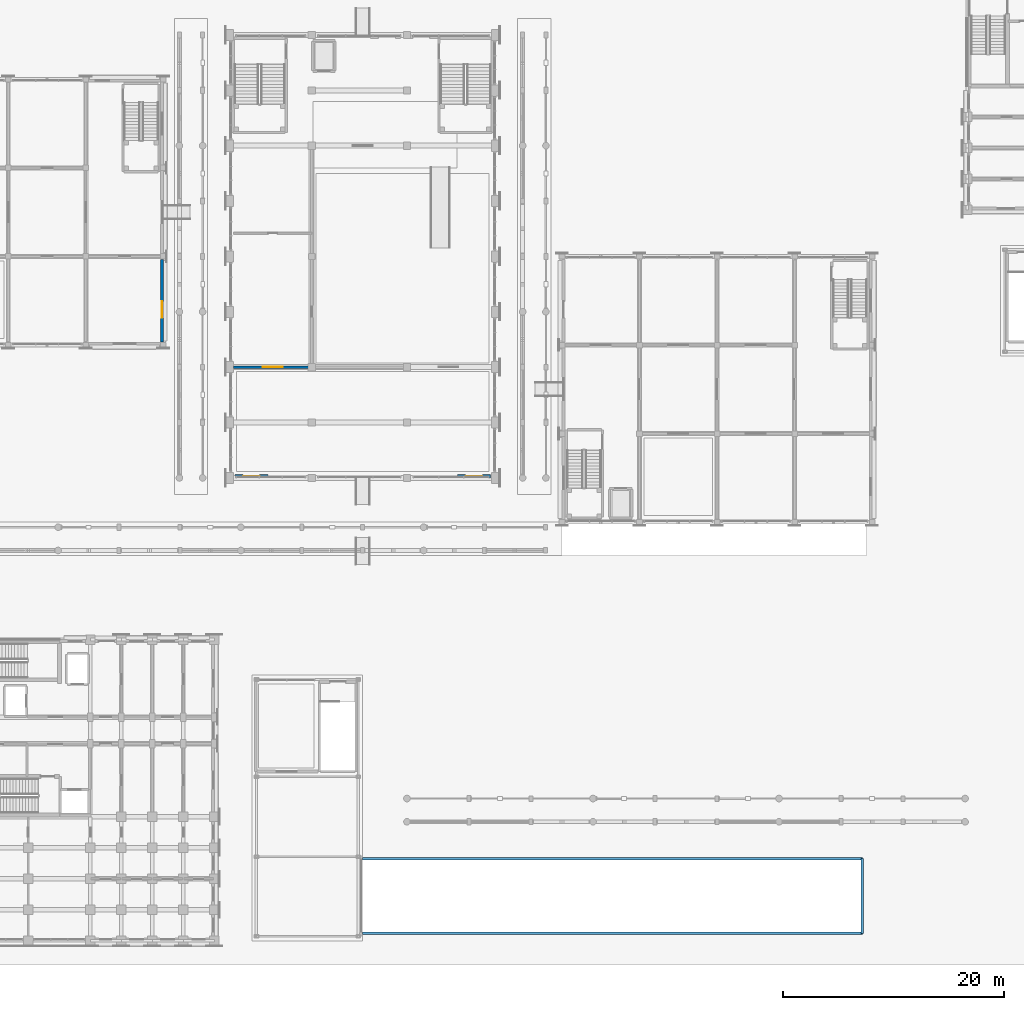
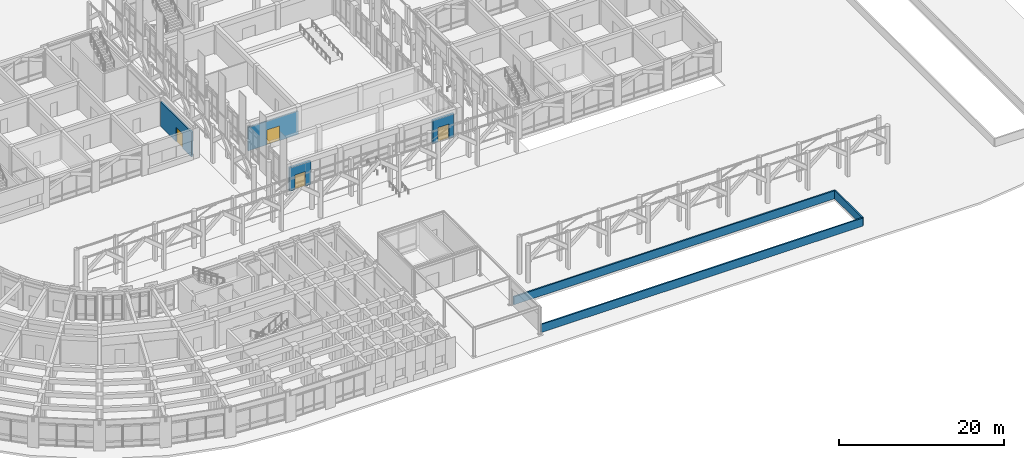
# One storey, part 95 of 135: 7 walls, 4 doors, 4 openings.
"""IFC4 building model written with IfcOpenShell, lengths in metres."""

import ifcopenshell
import ifcopenshell.guid

model = None  # the IFC model being written
_history = None  # IfcOwnerHistory: only IFC2X3 demands one
_inside = {}  # id of a spatial element -> (the spatial element, [elements in it])
_under = {}  # id of a project, library or spatial element -> (it, [spatial elements below it])
_declared = {}  # id of a project -> (the project, [libraries it declares])
_typed = {}  # id of a type object -> (the type object, [elements of that type])
_made_of = {}  # id of a material, layer set ... -> (it, [elements and type objects made of it])


def new_model(schema):
    """Start an empty IFC model of exactly this schema.

    Asked for "IFC4X3", IfcOpenShell would pick the latest addendum, in which some entities
    have other attributes; the version numbers below select the first issue.
    IFC2X3 requires an IfcOwnerHistory on every rooted entity: one is made here for all.
    """
    global model, _history
    if schema == "IFC4X3":
        model = ifcopenshell.file(schema_version=(4, 3, 0, 0))
    else:
        model = ifcopenshell.file(schema=schema)
    _inside.clear()
    _under.clear()
    _declared.clear()
    _typed.clear()
    _made_of.clear()
    _history = None
    if model.schema == "IFC2X3":
        org = make("IfcOrganization", Name="unknown")
        user = make(
            "IfcPersonAndOrganization",
            ThePerson=make("IfcPerson", FamilyName="unknown"),
            TheOrganization=org,
        )
        app = make(
            "IfcApplication",
            ApplicationDeveloper=org,
            Version="unknown",
            ApplicationFullName="unknown",
            ApplicationIdentifier="unknown",
        )
        _history = make(
            "IfcOwnerHistory",
            OwningUser=user,
            OwningApplication=app,
            ChangeAction="ADDED",
            CreationDate=0,
        )
    return model


def make(cls, **values):
    """One entity of the class cls with the attributes given. An attribute that is None is left unset."""
    return model.create_entity(
        cls, **{name: value for name, value in values.items() if value is not None}
    )


def rooted(cls, **values):
    """An entity with a GlobalId (a new one), such as an element, a storey or a relation."""
    return make(cls, GlobalId=ifcopenshell.guid.new(), OwnerHistory=_history, **values)


def si_unit(unit_type, name, prefix=None):
    """IfcSIUnit, for example si_unit("LENGTHUNIT", "METRE", prefix="MILLI")."""
    return make("IfcSIUnit", UnitType=unit_type, Prefix=prefix, Name=name)


def assignment(units):
    """IfcUnitAssignment: the units of a project."""
    return None if units is None else make("IfcUnitAssignment", Units=units)


def point(xyz):
    """IfcCartesianPoint."""
    return None if xyz is None else make("IfcCartesianPoint", Coordinates=xyz)


def direction(xyz):
    """IfcDirection."""
    return None if xyz is None else make("IfcDirection", DirectionRatios=xyz)


def frame(location, z_axis=None, x_axis=None):
    """IfcAxis2Placement3D, a coordinate frame: its origin and axes. An axis left out is left unset."""
    return make(
        "IfcAxis2Placement3D",
        Location=point(location),
        Axis=direction(z_axis),
        RefDirection=direction(x_axis),
    )


def frame_2d(location, x_axis=None):
    """IfcAxis2Placement2D, a coordinate frame in the plane: its origin and x axis."""
    return make(
        "IfcAxis2Placement2D", Location=point(location), RefDirection=direction(x_axis)
    )


def origin():
    """The frame at (0, 0, 0) with its axes left unset."""
    return frame((0.0, 0.0, 0.0))


def place(relative_to, where):
    """IfcLocalPlacement: puts the frame where relative to a parent placement (None: the world)."""
    return make(
        "IfcLocalPlacement", PlacementRelTo=relative_to, RelativePlacement=where
    )


def context(
    kind, dimensions, precision=None, world=None, true_north=None, identifier=None
):
    """IfcGeometricRepresentationContext, for example the 3D "Model" context."""
    return make(
        "IfcGeometricRepresentationContext",
        ContextIdentifier=identifier,
        ContextType=kind,
        CoordinateSpaceDimension=dimensions,
        Precision=precision,
        WorldCoordinateSystem=world,
        TrueNorth=true_north,
    )


def subcontext(parent, identifier, kind, view, scale=None):
    """IfcGeometricRepresentationSubContext, for example "Body" below "Model"."""
    return make(
        "IfcGeometricRepresentationSubContext",
        ContextIdentifier=identifier,
        ContextType=kind,
        ParentContext=parent,
        TargetScale=scale,
        TargetView=view,
    )


def project(units=None, contexts=None):
    """IfcProject with its units and contexts."""
    return rooted(
        "IfcProject",
        Name="project",
        RepresentationContexts=contexts,
        UnitsInContext=assignment(units),
    )


def spatial(cls, under=None, at=None, **own):
    """A site, building, storey or space (cls), placed at a placement, below another one or the project."""
    s = rooted(cls, ObjectPlacement=at, **own)
    if under is not None:
        _under.setdefault(under.id(), (under, []))[1].append(s)
    return s


def profile(cls, at=None, kind="AREA", **sizes):
    """A parametric profile (cls). Its sizes go by their IFC names, for example OverallWidth=200.0."""
    return make(cls, ProfileType=kind, Position=at, **sizes)


def rectangle(**sizes):
    """IfcRectangleProfileDef."""
    return profile("IfcRectangleProfileDef", **sizes)


def extrude(swept, where, along, depth):
    """IfcExtrudedAreaSolid: the profile swept, set in the frame where, extruded along a direction by depth."""
    return make(
        "IfcExtrudedAreaSolid",
        SweptArea=swept,
        Position=where,
        ExtrudedDirection=direction(along),
        Depth=depth,
    )


def shape(context_of_items, identifier, shape_type, items):
    """IfcShapeRepresentation: the items that make up one representation, for example the "Body"."""
    return make(
        "IfcShapeRepresentation",
        ContextOfItems=context_of_items,
        RepresentationIdentifier=identifier,
        RepresentationType=shape_type,
        Items=items,
    )


def material(Name=None, Category=None):
    """IfcMaterial."""
    return make("IfcMaterial", Name=Name, Category=Category)


def layer(
    of_material, thickness, ventilated=None, Name=None, Category=None, Priority=None
):
    """IfcMaterialLayer: one layer of a wall or slab, of a material (None: an air gap)."""
    return make(
        "IfcMaterialLayer",
        Material=of_material,
        LayerThickness=thickness,
        IsVentilated=ventilated,
        Name=Name,
        Category=Category,
        Priority=Priority,
    )


def layer_set(layers, Name=None):
    """IfcMaterialLayerSet."""
    return make("IfcMaterialLayerSet", MaterialLayers=layers, LayerSetName=Name)


def made_of(thing, what):
    """Note that an element or type object is made of a material, layer set ...; save() writes the relation."""
    if what is not None:
        _made_of.setdefault(what.id(), (what, []))[1].append(thing)
    return thing


def type_object(cls, material=None, **own):
    """A type object (cls), such as IfcWallType, which elements share."""
    return made_of(rooted(cls, **own), material)


def element(
    cls,
    number,
    at=None,
    inside=None,
    cuts=None,
    type_object=None,
    material=None,
    context=None,
    identifier="Body",
    shape_type=None,
    held_by="IfcProductDefinitionShape",
    body=None,
    shapes=None,
    **own,
):
    """One element of the class cls, such as IfcWall. Its Tag is "e" and its number.

    at: its placement. inside: the storey or other place that contains it. cuts: it is an
    opening in that element (IfcRelVoidsElement). A single representation is given by context,
    identifier, shape_type and body (its items); several are given by shapes. held_by: the class
    of the entity that holds the representations. save() writes the other relations.
    """
    e = rooted(cls, Tag="e%d" % number, ObjectPlacement=at, **own)
    if body is not None:
        shapes = [shape(context, identifier, shape_type, body)]
    if shapes is not None:
        e.Representation = make(held_by, Representations=shapes)
    if inside is not None:
        _inside.setdefault(inside.id(), (inside, []))[1].append(e)
    if cuts is not None:
        rooted(
            "IfcRelVoidsElement", RelatingBuildingElement=cuts, RelatedOpeningElement=e
        )
    if type_object is not None:
        _typed.setdefault(type_object.id(), (type_object, []))[1].append(e)
    return made_of(e, material)


def fill(opening, filler):
    """IfcRelFillsElement: the door or window that sits in an opening."""
    return rooted(
        "IfcRelFillsElement",
        RelatingOpeningElement=opening,
        RelatedBuildingElement=filler,
    )


def aggregate(whole, parts):
    """IfcRelAggregates: a whole, such as a stair, and the parts it consists of."""
    return rooted("IfcRelAggregates", RelatingObject=whole, RelatedObjects=parts)


def save(model, path):
    """Write the relations noted so far, then the file.

    IfcRelAggregates (storeys below a building ...), IfcRelContainedInSpatialStructure (elements
    in a storey), IfcRelDefinesByType, IfcRelAssociatesMaterial and IfcRelDeclares: one each for
    every whole, place, type object, material and project.
    """
    for whole, parts in _under.values():
        aggregate(whole, parts)
    for where, things in _inside.values():
        rooted(
            "IfcRelContainedInSpatialStructure",
            RelatedElements=things,
            RelatingStructure=where,
        )
    for kind, things in _typed.values():
        rooted("IfcRelDefinesByType", RelatedObjects=things, RelatingType=kind)
    for what, things in _made_of.values():
        rooted("IfcRelAssociatesMaterial", RelatedObjects=things, RelatingMaterial=what)
    for by, libraries in _declared.values():
        rooted("IfcRelDeclares", RelatingContext=by, RelatedDefinitions=libraries)
    model.write(path)


model = new_model("IFC4")

# Units and contexts
model_context = context("Model", 3, precision=1e-05, world=origin(), true_north=direction((0.0, 1.0)))
body_context = subcontext(model_context, "Body", "Model", "MODEL_VIEW")
ifc_project = project(units=[si_unit("LENGTHUNIT", "METRE"), si_unit("AREAUNIT", "SQUARE_METRE"), si_unit("VOLUMEUNIT", "CUBIC_METRE"), si_unit("PLANEANGLEUNIT", "RADIAN"), si_unit("MASSUNIT", "GRAM", prefix="KILO")], contexts=[model_context])

# Site, building, storey
site_placement = place(None, origin())
site = spatial("IfcSite", under=ifc_project, at=site_placement, CompositionType="ELEMENT")
building_placement = place(site_placement, origin())
building = spatial("IfcBuilding", under=site, at=building_placement, Name="Kiranvali Square Residences", CompositionType="ELEMENT")
storey_placement = place(building_placement, origin())
storey = spatial("IfcBuildingStorey", under=building, at=storey_placement, Name="L00", CompositionType="ELEMENT", Elevation=0.0)

# Wall, opening, door
ifc_material_1 = material(Name="Autoclaved aerated concrete blockwork masonry", Category="masonry")
ifc_layer_1 = layer(ifc_material_1, 0.199951171875)
ifc_layer_set_1 = layer_set([ifc_layer_1], Name="Autoclaved aerated concrete blockwork masonry")
wall_type_1 = type_object("IfcWallType", Name="WL-COR-200", PredefinedType="STANDARD", material=ifc_layer_set_1)
wall_1_placement = place(storey_placement, frame((72.35009765625, 54.0, 0.0), z_axis=(0.0, 0.0, 1.0), x_axis=(1.0, 0.0, 0.0)))
wall_1 = element("IfcWall", 1, at=wall_1_placement, inside=storey, type_object=wall_type_1, Name="L00 architectural wall WL-CH-L00-FOY1", PredefinedType="STANDARD", context=body_context, shape_type="SweptSolid", body=[
    extrude(rectangle(XDim=7.0498046875, YDim=0.199951171875, at=frame_2d((3.52490234375, 0.0))), origin(), (0.0, 0.0, 1.0), 3.491943359375),
])
opening_1_placement = place(wall_1_placement, frame((2.625, 0.0, 0.0)))
opening_1 = element("IfcOpeningElement", 2, at=opening_1_placement, cuts=wall_1, Name="Opening ED-GLZ-180", PredefinedType="OPENING", context=body_context, shape_type="SweptSolid", body=[
    extrude(rectangle(XDim=1.800048828125, YDim=2.199951171875, at=frame_2d((0.89990234375, 1.10009765625))), frame((0.0, 0.10986328125, 0.0), z_axis=(0.0, -1.0, 0.0), x_axis=(1.0, 0.0, 0.0)), (0.0, 0.0, 1.0), 0.219970703125),
])
ifc_material_2 = material(Name="Anodised bronze aluminium framing", Category="aluminium")
door_type_1 = type_object("IfcDoorType", Name="DR-GLZ-1800", OperationType="DOUBLE_DOOR_SINGLE_SWING", PredefinedType="DOOR", material=ifc_material_2)
door_1_placement = place(opening_1_placement, origin())
door_1 = element("IfcDoor", 3, at=door_1_placement, inside=storey, type_object=door_type_1, Name="L00 door DR-L00-2302 (DR-GLZ-1800)", OperationType="DOUBLE_DOOR_SINGLE_SWING", OverallHeight=2.199951171875, OverallWidth=1.800048828125, PredefinedType="DOOR", context=body_context, shape_type="SweptSolid", body=[
    extrude(rectangle(XDim=1.800048828125, YDim=2.199951171875, at=frame_2d((0.89990234375, 1.10009765625))), frame((0.0, 0.02490234375, 0.0), z_axis=(0.0, -1.0, 0.0), x_axis=(1.0, 0.0, 0.0)), (0.0, 0.0, 1.0), 0.050048828125),
])
fill(opening_1, door_1)

ifc_material_3 = material(Name="Breathable lime-rendered clay brick masonry", Category="masonry")
ifc_layer_2 = layer(ifc_material_3, 0.25)
ifc_layer_set_2 = layer_set([ifc_layer_2], Name="Breathable lime-rendered clay brick masonry")
wall_type_2 = type_object("IfcWallType", Name="WL-EXT-250", PredefinedType="STANDARD", material=ifc_layer_set_2)
wall_2_placement = place(storey_placement, frame((65.875, 56.25341796875, 0.0), z_axis=(0.0, 0.0, 1.0), x_axis=(0.0, 1.0, 0.0)))
wall_2 = element("IfcWall", 4, at=wall_2_placement, inside=storey, type_object=wall_type_2, Name="L00 exterior wall NR-L00-E-0", PredefinedType="STANDARD", context=body_context, shape_type="SweptSolid", body=[
    extrude(rectangle(XDim=7.4931640625, YDim=0.25, at=frame_2d((3.74658203125, 0.0))), origin(), (0.0, 0.0, 1.0), 3.672119140625),
])
opening_2_placement = place(wall_2_placement, frame((2.199951171875, 0.0, 0.0)))
opening_2 = element("IfcOpeningElement", 5, at=opening_2_placement, cuts=wall_2, Name="Opening ED-EX-150", PredefinedType="OPENING", context=body_context, shape_type="SweptSolid", body=[
    extrude(rectangle(XDim=1.5, YDim=2.14990234375, at=frame_2d((0.75, 1.074951171875))), frame((0.0, 0.135009765625, 0.0), z_axis=(0.0, -1.0, 0.0), x_axis=(1.0, 0.0, 0.0)), (0.0, 0.0, 1.0), 0.27001953125),
])
ifc_material_4 = material(Name="Fire-rated acoustic hardwood and mineral-core door assembly", Category="wood")
door_type_2 = type_object("IfcDoorType", Name="DR-EXIT-1500", OperationType="NOTDEFINED", PredefinedType="DOOR", material=ifc_material_4)
door_2_placement = place(opening_2_placement, frame((1.5, 0.0, 0.0), z_axis=(0.0, 0.0, 1.0), x_axis=(-1.0, 0.0, 0.0)))
door_2 = element("IfcDoor", 6, at=door_2_placement, inside=storey, type_object=door_type_2, Name="NR pavilion ground final exit door", OperationType="SINGLE_SWING_LEFT", OverallHeight=2.14990234375, OverallWidth=1.5, PredefinedType="DOOR", context=body_context, shape_type="SweptSolid", body=[
    extrude(rectangle(XDim=1.5, YDim=2.14990234375, at=frame_2d((0.75, 1.074951171875))), frame((0.0, 0.02490234375, 0.0), z_axis=(0.0, -1.0, 0.0), x_axis=(1.0, 0.0, 0.0)), (0.0, 0.0, 1.0), 0.050048828125),
])
fill(opening_2, door_2)

ifc_material_5 = material(Name="Alternating Deccan basalt stone and terracotta brick masonry", Category="masonry")
ifc_layer_3 = layer(ifc_material_5, 0.300048828125)
ifc_layer_set_3 = layer_set([ifc_layer_3], Name="Alternating Deccan basalt stone and terracotta brick masonry")
wall_type_3 = type_object("IfcWallType", Name="WL-EXT-300", PredefinedType="STANDARD", material=ifc_layer_set_3)
wall_3_placement = place(storey_placement, frame((72.449951171875, 44.14990234375, 0.0), z_axis=(0.0, 0.0, 1.0), x_axis=(1.0, 0.0, 0.0)))
wall_3 = element("IfcWall", 7, at=wall_3_placement, inside=storey, type_object=wall_type_3, Name="Community Hall portal wall EW-CH-ENT-SW", PredefinedType="STANDARD", context=body_context, shape_type="SweptSolid", body=[
    extrude(rectangle(XDim=3.0, YDim=0.300048828125, at=frame_2d((1.5, 0.0))), origin(), (0.0, 0.0, 1.0), 3.449951171875),
])
opening_3_placement = place(wall_3_placement, frame((0.75, 0.0, 0.0)))
opening_3 = element("IfcOpeningElement", 8, at=opening_3_placement, cuts=wall_3, Name="Opening ED-EX-150", PredefinedType="OPENING", context=body_context, shape_type="SweptSolid", body=[
    extrude(rectangle(XDim=1.5, YDim=2.14990234375, at=frame_2d((0.75, 1.074951171875))), frame((0.0, 0.159912109375, 0.0), z_axis=(0.0, -1.0, 0.0), x_axis=(1.0, 0.0, 0.0)), (0.0, 0.0, 1.0), 0.320068359375),
])
door_3_placement = place(opening_3_placement, frame((1.5, 0.0, 0.0), z_axis=(0.0, 0.0, 1.0), x_axis=(-1.0, 0.0, 0.0)))
door_3 = element("IfcDoor", 9, at=door_3_placement, inside=storey, type_object=door_type_2, Name="Community Hall South-West Grand Exit Door", OperationType="SINGLE_SWING_RIGHT", OverallHeight=2.14990234375, OverallWidth=1.5, PredefinedType="DOOR", context=body_context, shape_type="SweptSolid", body=[
    extrude(rectangle(XDim=1.5, YDim=2.14990234375, at=frame_2d((0.75, 1.074951171875))), frame((0.0, 0.02490234375, 0.0), z_axis=(0.0, -1.0, 0.0), x_axis=(1.0, 0.0, 0.0)), (0.0, 0.0, 1.0), 0.050048828125),
])
fill(opening_3, door_3)

wall_4_placement = place(storey_placement, frame((92.550048828125, 44.14990234375, 0.0), z_axis=(0.0, 0.0, 1.0), x_axis=(1.0, 0.0, 0.0)))
wall_4 = element("IfcWall", 10, at=wall_4_placement, inside=storey, type_object=wall_type_3, Name="Community Hall portal wall EW-CH-ENT-SE", PredefinedType="STANDARD", context=body_context, shape_type="SweptSolid", body=[
    extrude(rectangle(XDim=3.0, YDim=0.300048828125, at=frame_2d((1.5, 0.0))), origin(), (0.0, 0.0, 1.0), 3.449951171875),
])
opening_4_placement = place(wall_4_placement, frame((0.75, 0.0, 0.0)))
opening_4 = element("IfcOpeningElement", 11, at=opening_4_placement, cuts=wall_4, Name="Opening ED-EX-150", PredefinedType="OPENING", context=body_context, shape_type="SweptSolid", body=[
    extrude(rectangle(XDim=1.5, YDim=2.14990234375, at=frame_2d((0.75, 1.074951171875))), frame((0.0, 0.159912109375, 0.0), z_axis=(0.0, -1.0, 0.0), x_axis=(1.0, 0.0, 0.0)), (0.0, 0.0, 1.0), 0.320068359375),
])
door_4_placement = place(opening_4_placement, frame((1.5, 0.0, 0.0), z_axis=(0.0, 0.0, 1.0), x_axis=(-1.0, 0.0, 0.0)))
door_4 = element("IfcDoor", 12, at=door_4_placement, inside=storey, type_object=door_type_2, Name="Community Hall South-East Grand Exit Door", OperationType="SINGLE_SWING_LEFT", OverallHeight=2.14990234375, OverallWidth=1.5, PredefinedType="DOOR", context=body_context, shape_type="SweptSolid", body=[
    extrude(rectangle(XDim=1.5, YDim=2.14990234375, at=frame_2d((0.75, 1.074951171875))), frame((0.0, 0.02490234375, 0.0), z_axis=(0.0, -1.0, 0.0), x_axis=(1.0, 0.0, 0.0)), (0.0, 0.0, 1.0), 0.050048828125),
])
fill(opening_4, door_4)

# Walls
ifc_material_6 = material(Name="Porbandar limestone coping and lime-rendered brick masonry", Category="masonry")
ifc_layer_4 = layer(ifc_material_6, 0.199951171875)
ifc_layer_set_4 = layer_set([ifc_layer_4], Name="Porbandar limestone coping and lime-rendered brick masonry")
wall_type_4 = type_object("IfcWallType", Name="WL-PAR-200", PredefinedType="PARAPET", material=ifc_layer_set_4)
for number, where, z_axis, x_axis, name in (
    (13, (84.0, 2.8798828125, 0.0), (0.0, 0.0, 1.0), (1.0, 0.0, 0.0), "Basement vehicle ramp headwall safety parapet WL-PAR-RMPS-S"),
    (14, (84.0, 9.6201171875, 0.0), (0.0, 0.0, 1.0), (1.0, 0.0, 0.0), "Basement vehicle ramp headwall safety parapet WL-PAR-RMPS-N"),
):
    element("IfcWall", number, at=place(storey_placement, frame(where, z_axis=z_axis, x_axis=x_axis)), inside=storey, type_object=wall_type_4, Name=name, PredefinedType="PARAPET", context=body_context, shape_type="SweptSolid", body=[
        extrude(rectangle(XDim=45.1201171875, YDim=0.199951171875, at=frame_2d((22.56005859375, 0.0))), origin(), (0.0, 0.0, 1.0), 1.199951171875),
    ])
wall_5_placement = place(storey_placement, frame((129.1201171875, 2.8798828125, 0.0), z_axis=(0.0, 0.0, 1.0), x_axis=(0.0, 1.0, 0.0)))
element("IfcWall", 15, at=wall_5_placement, inside=storey, type_object=wall_type_4, Name="Basement vehicle ramp headwall safety parapet WL-PAR-RMPS-E", PredefinedType="PARAPET", context=body_context, shape_type="SweptSolid", body=[
    extrude(rectangle(XDim=6.740234375, YDim=0.199951171875, at=frame_2d((3.3701171875, 0.0))), origin(), (0.0, 0.0, 1.0), 1.199951171875),
])

save(model, "model.ifc")
